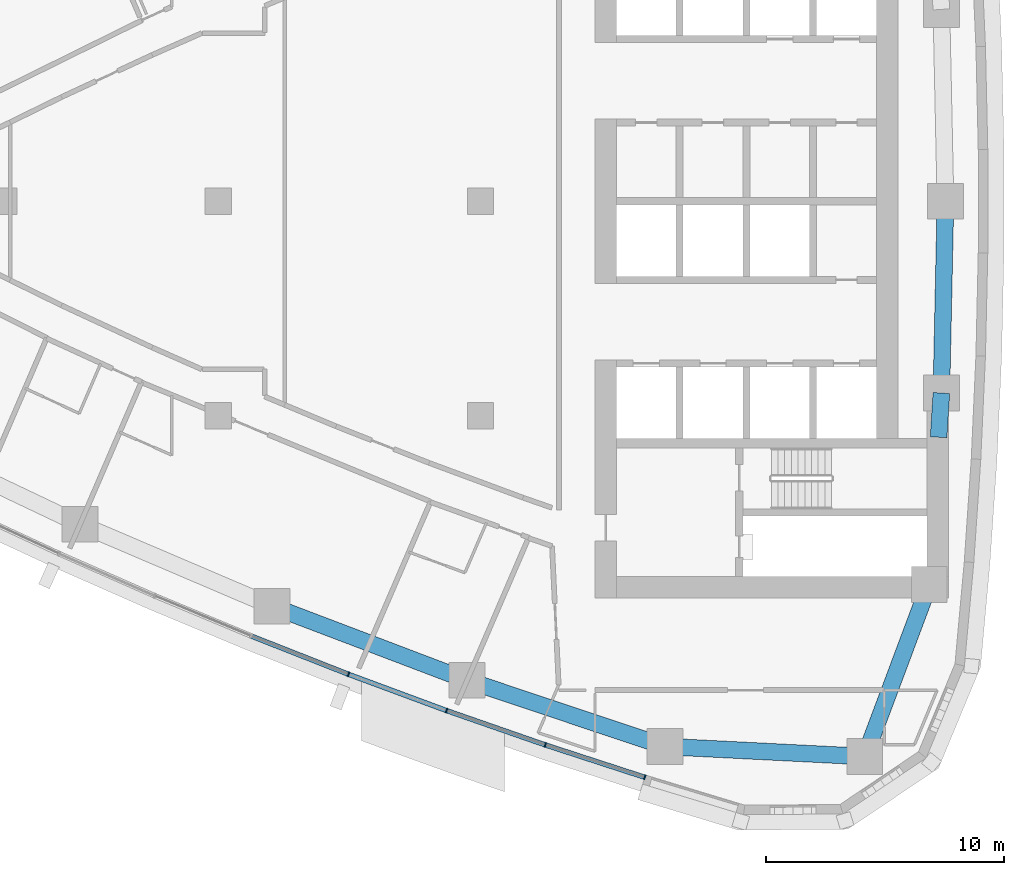
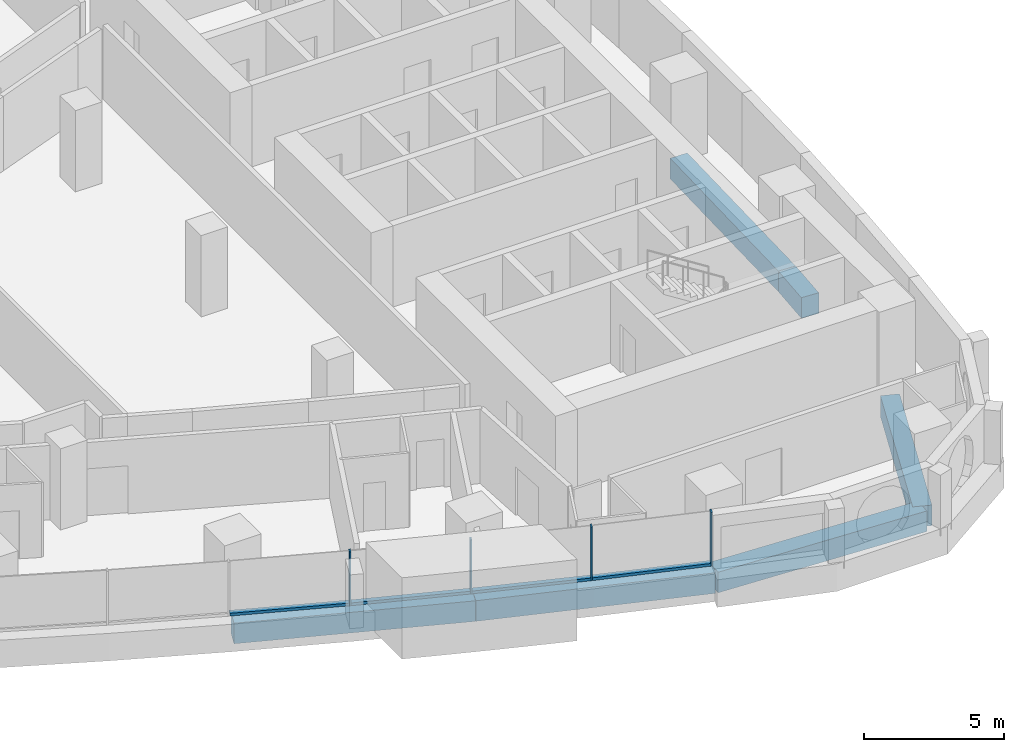
# One storey, part 3 of 17: 8 members, 6 beams, 2 elements without a shape of their own.
"""IFC4 building model written with IfcOpenShell, lengths in metres."""

from ifc_helpers import new_model, si_unit, direction, frame, origin, origin_2d, place, context, subcontext, project, spatial, rectangle, extrude, material, layer, layer_set, material_profile, profile_set, type_object, element, aggregate, save


model = new_model("IFC4")

# Units and contexts
model_context = context("Model", 3, precision=1e-05, world=origin(), true_north=direction((0.0, 1.0)))
body_context = subcontext(model_context, "Body", "Model", "MODEL_VIEW")
ifc_project = project(units=[si_unit("LENGTHUNIT", "METRE"), si_unit("AREAUNIT", "SQUARE_METRE"), si_unit("VOLUMEUNIT", "CUBIC_METRE"), si_unit("PLANEANGLEUNIT", "RADIAN"), si_unit("MASSUNIT", "GRAM", prefix="KILO")], contexts=[model_context])

# Site, building, storey
site_placement = place(None, origin())
site = spatial("IfcSite", under=ifc_project, at=site_placement, CompositionType="ELEMENT")
building_placement = place(site_placement, origin())
building = spatial("IfcBuilding", under=site, at=building_placement, Name="Ostrand Prow Hotel Tower", CompositionType="ELEMENT")
storey_placement = place(building_placement, frame((0.0, 0.0, 133.75)))
storey = spatial("IfcBuildingStorey", under=building, at=storey_placement, Name="L32", CompositionType="ELEMENT", Elevation=133.75)

# Beams
ifc_material_1 = material(Name="Concrete C70/85", Category="concrete")
ifc_material_profile_1 = material_profile(ifc_material_1, rectangle(XDim=0.699951171875, YDim=0.89990234375, at=origin_2d()), Name="RC 700x900")
ifc_profile_set_1 = profile_set([ifc_material_profile_1], Name="Concrete C70/85")
beam_type = type_object("IfcBeamType", Name="Edge beam 700x900 C70/85", PredefinedType="SPANDREL", material=ifc_profile_set_1)
for number, where, z_axis, x_axis, name in (
    (1, (36.255615234375, -16.98388671875, -0.75), (0.93479358236, -0.355191439055, 0.0), (0.355191439055, 0.93479358236, 0.0), "Edge beam S4-S5"),
    (2, (44.438232421875, -20.093017578125, -0.75), (0.948376051094, -0.317148018616, 0.0), (0.317148018616, 0.948376051094, 0.0), "Edge beam S5-S6"),
):
    element("IfcBeam", number, at=place(storey_placement, frame(where, z_axis=z_axis, x_axis=x_axis)), inside=storey, type_object=beam_type, Name=name, PredefinedType="SPANDREL", context=body_context, shape_type="SweptSolid", body=[
        extrude(rectangle(XDim=0.699951171875, YDim=0.89990234375, at=origin_2d()), origin(), (0.0, 0.0, 1.0), 8.75341796875),
    ])
beam_1_placement = place(storey_placement, frame((52.73974609375, -22.869140625, -0.75), z_axis=(0.99873741544, -0.050235196825, 0.0), x_axis=(0.050235196825, 0.99873741544, 0.0)))
element("IfcBeam", 3, at=beam_1_placement, inside=storey, type_object=beam_type, Name="Edge beam S6-SE", PredefinedType="SPANDREL", context=body_context, shape_type="SweptSolid", body=[
    extrude(rectangle(XDim=0.699951171875, YDim=0.89990234375, at=origin_2d()), origin(), (0.0, 0.0, 1.0), 8.38818359375),
])
beam_2_placement = place(storey_placement, frame((61.117431640625, -23.29052734375, -0.75), z_axis=(0.350602524344, 0.93652435629, 0.0), x_axis=(-0.93652435629, 0.350602524344, 0.0)))
element("IfcBeam", 4, at=beam_2_placement, inside=storey, type_object=beam_type, Name="Edge beam SE-B1", PredefinedType="SPANDREL", context=body_context, shape_type="SweptSolid", body=[
    extrude(rectangle(XDim=0.699951171875, YDim=0.89990234375, at=origin_2d()), origin(), (0.0, 0.0, 1.0), 7.037353515625),
])
beam_3_placement = place(storey_placement, frame((64.21142578125, -9.89990234375, -0.75), z_axis=(0.063563790544, 0.997977777574, 0.0), x_axis=(-0.997977777574, 0.063563790544, 0.0)))
element("IfcBeam", 5, at=beam_3_placement, inside=storey, type_object=beam_type, Name="Edge beam B1-B2", PredefinedType="SPANDREL", context=body_context, shape_type="SweptSolid", body=[
    extrude(rectangle(XDim=0.699951171875, YDim=0.89990234375, at=origin_2d()), origin(), (0.0, 0.0, 1.0), 1.85888671875),
])
beam_4_placement = place(storey_placement, frame((64.32958984375, -8.044677734375, -0.75), z_axis=(0.021178217658, 0.999775716397, 0.0), x_axis=(-0.999775716397, 0.021178217658, 0.0)))
element("IfcBeam", 6, at=beam_4_placement, inside=storey, type_object=beam_type, Name="Edge beam B2-B3", PredefinedType="SPANDREL", context=body_context, shape_type="SweptSolid", body=[
    extrude(rectangle(XDim=0.699951171875, YDim=0.89990234375, at=origin_2d()), origin(), (0.0, 0.0, 1.0), 8.04638671875),
])

# Curtain wall, members
ifc_material_2 = material(Name="Insulated glass in bronze anodised frame", Category="glass")
ifc_layer = layer(ifc_material_2, 0.199951171875)
ifc_layer_set = layer_set([ifc_layer], Name="Insulated glass in bronze anodised frame")
curtain_wall_type = type_object("IfcCurtainWallType", Name="Strip curtain wall, fritted glass over bronze spandrel", PredefinedType="NOTDEFINED", material=ifc_layer_set)
curtain_wall_1_placement = place(storey_placement, origin())
curtain_wall_1 = element("IfcCurtainWall", 7, at=curtain_wall_1_placement, inside=storey, type_object=curtain_wall_type, Name="CW1 run CWS4", PredefinedType="NOTDEFINED")
ifc_material_3 = material(Name="Bronze anodised aluminium", Category="aluminium")
ifc_material_profile_2 = material_profile(ifc_material_3, rectangle(XDim=0.199951171875, YDim=0.06005859375, at=origin_2d()), Name="Mullion 60x200 bronze anodised aluminium")
ifc_profile_set_2 = profile_set([ifc_material_profile_2], Name="Bronze anodised aluminium")
member_type_1 = type_object("IfcMemberType", Name="Mullion 60x200 bronze anodised aluminium", PredefinedType="MULLION", material=ifc_profile_set_2)
member_1_placement = place(storey_placement, frame((39.462158203125, -19.8408203125, 0.89990234375), z_axis=(0.0, 0.0, 1.0), x_axis=(0.347341576459, 0.937738678558, 0.0)))
member_1 = element("IfcMember", 8, at=member_1_placement, type_object=member_type_1, Name="CW1 mullion 2", PredefinedType="MULLION", context=body_context, shape_type="SweptSolid", body=[
    extrude(rectangle(XDim=0.199951171875, YDim=0.06005859375, at=origin_2d()), origin(), (0.0, 0.0, 1.0), 2.35009765625),
])
member_2_placement = place(storey_placement, frame((43.5751953125, -21.3642578125, 0.89990234375), z_axis=(0.0, 0.0, 1.0), x_axis=(0.347341576459, 0.937738678558, 0.0)))
member_2 = element("IfcMember", 9, at=member_2_placement, type_object=member_type_1, Name="CW1 mullion 3", PredefinedType="MULLION", context=body_context, shape_type="SweptSolid", body=[
    extrude(rectangle(XDim=0.199951171875, YDim=0.06005859375, at=origin_2d()), origin(), (0.0, 0.0, 1.0), 2.35009765625),
])

curtain_wall_2_placement = place(storey_placement, origin())
curtain_wall_2 = element("IfcCurtainWall", 10, at=curtain_wall_2_placement, inside=storey, type_object=curtain_wall_type, Name="CW1 run CWS5", PredefinedType="NOTDEFINED")
member_3_placement = place(storey_placement, frame((47.718017578125, -22.8046875, 0.89990234375), z_axis=(0.0, 0.0, 1.0), x_axis=(0.309380491373, 0.950938332153, 0.0)))
member_3 = element("IfcMember", 11, at=member_3_placement, type_object=member_type_1, Name="CW1 mullion 2", PredefinedType="MULLION", context=body_context, shape_type="SweptSolid", body=[
    extrude(rectangle(XDim=0.199951171875, YDim=0.06005859375, at=origin_2d()), origin(), (0.0, 0.0, 1.0), 2.35009765625),
])
member_4_placement = place(storey_placement, frame((51.888916015625, -24.16162109375, 0.89990234375), z_axis=(0.0, 0.0, 1.0), x_axis=(0.309380491373, 0.950938332153, 0.0)))
member_4 = element("IfcMember", 12, at=member_4_placement, type_object=member_type_1, Name="CW1 mullion 3", PredefinedType="MULLION", context=body_context, shape_type="SweptSolid", body=[
    extrude(rectangle(XDim=0.199951171875, YDim=0.06005859375, at=origin_2d()), origin(), (0.0, 0.0, 1.0), 2.35009765625),
])

# Member
ifc_material_4 = material(Name="Bronze anodised aluminium", Category="aluminium")
ifc_material_profile_3 = material_profile(ifc_material_4, rectangle(XDim=0.199951171875, YDim=0.1201171875, at=origin_2d()), Name="Transom 120x200 bronze anodised aluminium")
ifc_profile_set_3 = profile_set([ifc_material_profile_3], Name="Bronze anodised aluminium")
member_type_2 = type_object("IfcMemberType", Name="Transom 120x200 bronze anodised aluminium", PredefinedType="USERDEFINED", material=ifc_profile_set_3)
member_5_placement = place(storey_placement, frame((35.408447265625, -18.245849609375, 0.9599609375), z_axis=(0.930563430162, -0.366130717701, 0.0), x_axis=(0.366130717701, 0.930563430162, 0.0)))
member_5 = element("IfcMember", 13, at=member_5_placement, type_object=member_type_2, Name="CW1 transom 1.1", ObjectType="TRANSOM", PredefinedType="USERDEFINED", context=body_context, shape_type="SweptSolid", body=[
    extrude(rectangle(XDim=0.199951171875, YDim=0.1201171875, at=origin_2d()), origin(), (0.0, 0.0, 1.0), 4.326171875),
])

member_6_placement = place(storey_placement, frame((39.490234375, -19.851318359375, 0.9599609375), z_axis=(0.937756929379, -0.347292299657, 0.0), x_axis=(0.347292299657, 0.937756929379, 0.0)))
member_6 = element("IfcMember", 14, at=member_6_placement, type_object=member_type_2, Name="CW1 transom 2.1", ObjectType="TRANSOM", PredefinedType="USERDEFINED", context=body_context, shape_type="SweptSolid", body=[
    extrude(rectangle(XDim=0.199951171875, YDim=0.1201171875, at=origin_2d()), origin(), (0.0, 0.0, 1.0), 4.326171875),
])

aggregate(curtain_wall_1, [member_1, member_2, member_5, member_6])

member_7_placement = place(storey_placement, frame((43.603515625, -21.3740234375, 0.9599609375), z_axis=(0.944524201162, -0.328441826538, 0.0), x_axis=(0.328441826538, 0.944524201162, 0.0)))
member_7 = element("IfcMember", 15, at=member_7_placement, type_object=member_type_2, Name="CW1 transom 1.1", ObjectType="TRANSOM", PredefinedType="USERDEFINED", context=body_context, shape_type="SweptSolid", body=[
    extrude(rectangle(XDim=0.199951171875, YDim=0.1201171875, at=origin_2d()), origin(), (0.0, 0.0, 1.0), 4.326171875),
])

member_8_placement = place(storey_placement, frame((47.74658203125, -22.81396484375, 0.9599609375), z_axis=(0.950938634958, -0.309379560643, 0.0), x_axis=(0.309379560643, 0.950938634958, 0.0)))
member_8 = element("IfcMember", 16, at=member_8_placement, type_object=member_type_2, Name="CW1 transom 2.1", ObjectType="TRANSOM", PredefinedType="USERDEFINED", context=body_context, shape_type="SweptSolid", body=[
    extrude(rectangle(XDim=0.199951171875, YDim=0.1201171875, at=origin_2d()), origin(), (0.0, 0.0, 1.0), 4.325927734375),
])

aggregate(curtain_wall_2, [member_3, member_4, member_7, member_8])

save(model, "model.ifc")
